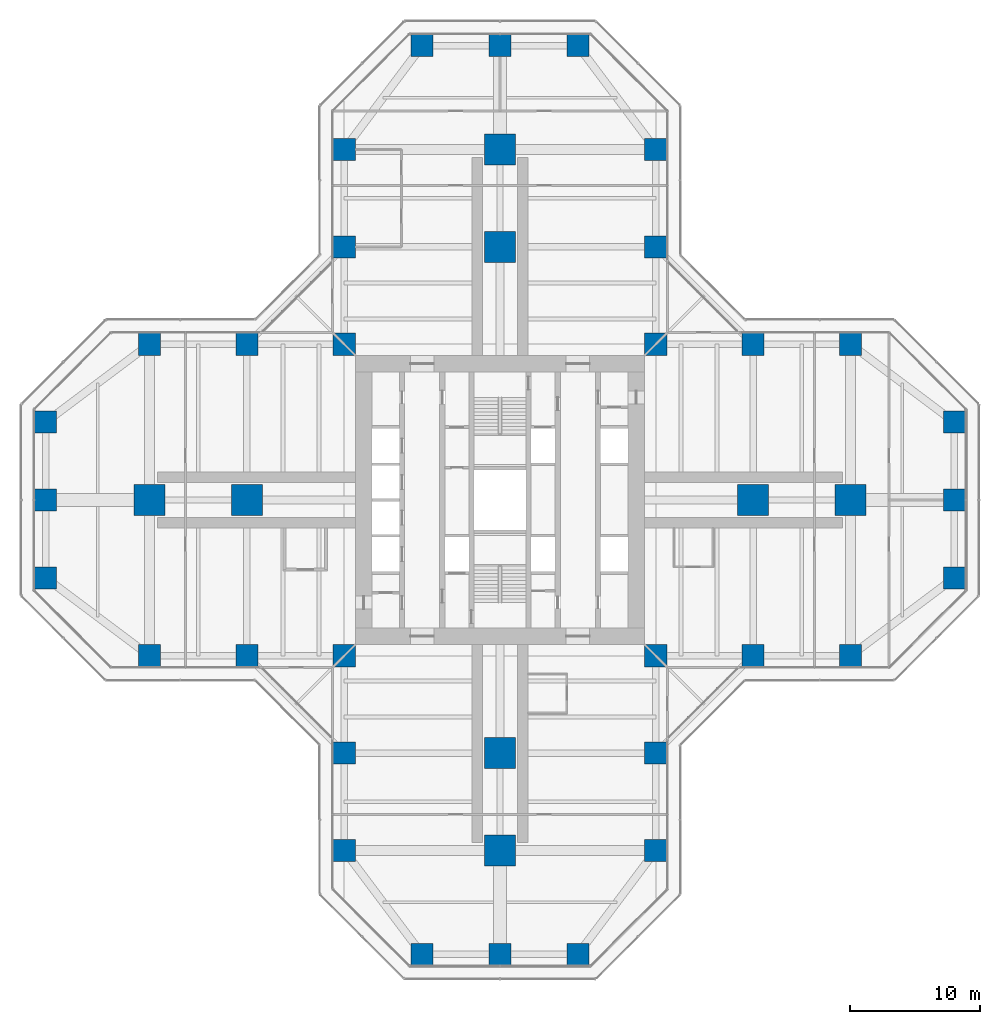
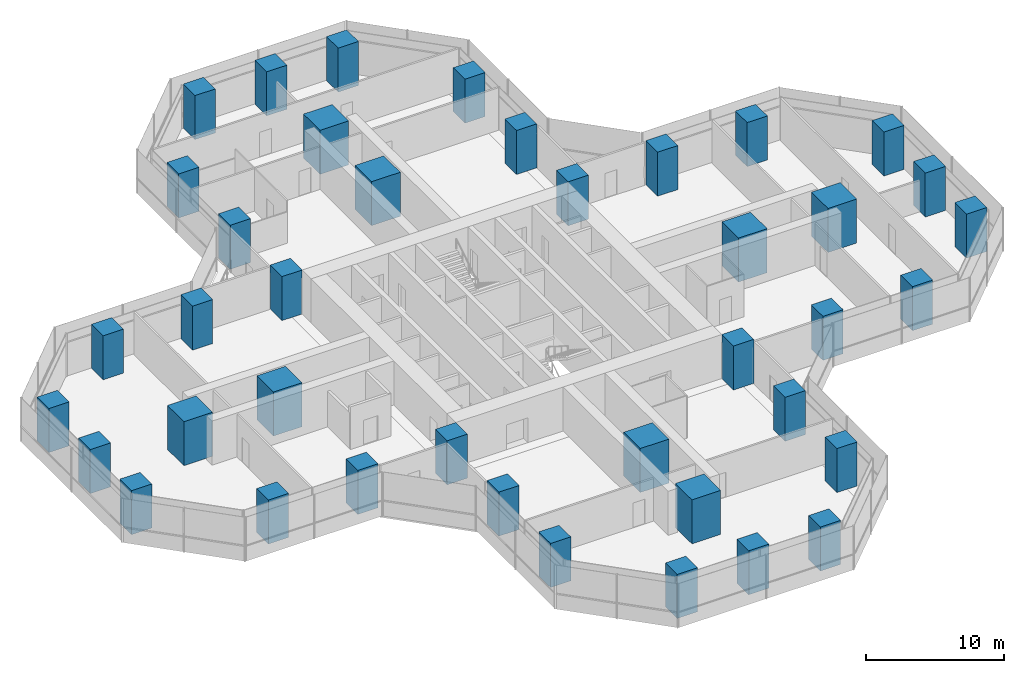
# One storey, part 1 of 22: 40 columns.
"""IFC4 building model written with IfcOpenShell, lengths in metres."""

import ifcopenshell
import ifcopenshell.guid

model = None  # the IFC model being written
_history = None  # IfcOwnerHistory: only IFC2X3 demands one
_inside = {}  # id of a spatial element -> (the spatial element, [elements in it])
_under = {}  # id of a project, library or spatial element -> (it, [spatial elements below it])
_declared = {}  # id of a project -> (the project, [libraries it declares])
_typed = {}  # id of a type object -> (the type object, [elements of that type])
_made_of = {}  # id of a material, layer set ... -> (it, [elements and type objects made of it])


def new_model(schema):
    """Start an empty IFC model of exactly this schema.

    Asked for "IFC4X3", IfcOpenShell would pick the latest addendum, in which some entities
    have other attributes; the version numbers below select the first issue.
    IFC2X3 requires an IfcOwnerHistory on every rooted entity: one is made here for all.
    """
    global model, _history
    if schema == "IFC4X3":
        model = ifcopenshell.file(schema_version=(4, 3, 0, 0))
    else:
        model = ifcopenshell.file(schema=schema)
    _inside.clear()
    _under.clear()
    _declared.clear()
    _typed.clear()
    _made_of.clear()
    _history = None
    if model.schema == "IFC2X3":
        org = make("IfcOrganization", Name="unknown")
        user = make(
            "IfcPersonAndOrganization",
            ThePerson=make("IfcPerson", FamilyName="unknown"),
            TheOrganization=org,
        )
        app = make(
            "IfcApplication",
            ApplicationDeveloper=org,
            Version="unknown",
            ApplicationFullName="unknown",
            ApplicationIdentifier="unknown",
        )
        _history = make(
            "IfcOwnerHistory",
            OwningUser=user,
            OwningApplication=app,
            ChangeAction="ADDED",
            CreationDate=0,
        )
    return model


def make(cls, **values):
    """One entity of the class cls with the attributes given. An attribute that is None is left unset."""
    return model.create_entity(
        cls, **{name: value for name, value in values.items() if value is not None}
    )


def rooted(cls, **values):
    """An entity with a GlobalId (a new one), such as an element, a storey or a relation."""
    return make(cls, GlobalId=ifcopenshell.guid.new(), OwnerHistory=_history, **values)


def si_unit(unit_type, name, prefix=None):
    """IfcSIUnit, for example si_unit("LENGTHUNIT", "METRE", prefix="MILLI")."""
    return make("IfcSIUnit", UnitType=unit_type, Prefix=prefix, Name=name)


def assignment(units):
    """IfcUnitAssignment: the units of a project."""
    return None if units is None else make("IfcUnitAssignment", Units=units)


def point(xyz):
    """IfcCartesianPoint."""
    return None if xyz is None else make("IfcCartesianPoint", Coordinates=xyz)


def direction(xyz):
    """IfcDirection."""
    return None if xyz is None else make("IfcDirection", DirectionRatios=xyz)


def frame(location, z_axis=None, x_axis=None):
    """IfcAxis2Placement3D, a coordinate frame: its origin and axes. An axis left out is left unset."""
    return make(
        "IfcAxis2Placement3D",
        Location=point(location),
        Axis=direction(z_axis),
        RefDirection=direction(x_axis),
    )


def frame_2d(location, x_axis=None):
    """IfcAxis2Placement2D, a coordinate frame in the plane: its origin and x axis."""
    return make(
        "IfcAxis2Placement2D", Location=point(location), RefDirection=direction(x_axis)
    )


def origin():
    """The frame at (0, 0, 0) with its axes left unset."""
    return frame((0.0, 0.0, 0.0))


def origin_2d():
    """The frame at (0, 0) in the plane with its x axis left unset."""
    return frame_2d((0.0, 0.0))


def place(relative_to, where):
    """IfcLocalPlacement: puts the frame where relative to a parent placement (None: the world)."""
    return make(
        "IfcLocalPlacement", PlacementRelTo=relative_to, RelativePlacement=where
    )


def context(
    kind, dimensions, precision=None, world=None, true_north=None, identifier=None
):
    """IfcGeometricRepresentationContext, for example the 3D "Model" context."""
    return make(
        "IfcGeometricRepresentationContext",
        ContextIdentifier=identifier,
        ContextType=kind,
        CoordinateSpaceDimension=dimensions,
        Precision=precision,
        WorldCoordinateSystem=world,
        TrueNorth=true_north,
    )


def subcontext(parent, identifier, kind, view, scale=None):
    """IfcGeometricRepresentationSubContext, for example "Body" below "Model"."""
    return make(
        "IfcGeometricRepresentationSubContext",
        ContextIdentifier=identifier,
        ContextType=kind,
        ParentContext=parent,
        TargetScale=scale,
        TargetView=view,
    )


def project(units=None, contexts=None):
    """IfcProject with its units and contexts."""
    return rooted(
        "IfcProject",
        Name="project",
        RepresentationContexts=contexts,
        UnitsInContext=assignment(units),
    )


def spatial(cls, under=None, at=None, **own):
    """A site, building, storey or space (cls), placed at a placement, below another one or the project."""
    s = rooted(cls, ObjectPlacement=at, **own)
    if under is not None:
        _under.setdefault(under.id(), (under, []))[1].append(s)
    return s


def profile(cls, at=None, kind="AREA", **sizes):
    """A parametric profile (cls). Its sizes go by their IFC names, for example OverallWidth=200.0."""
    return make(cls, ProfileType=kind, Position=at, **sizes)


def rectangle(**sizes):
    """IfcRectangleProfileDef."""
    return profile("IfcRectangleProfileDef", **sizes)


def extrude(swept, where, along, depth):
    """IfcExtrudedAreaSolid: the profile swept, set in the frame where, extruded along a direction by depth."""
    return make(
        "IfcExtrudedAreaSolid",
        SweptArea=swept,
        Position=where,
        ExtrudedDirection=direction(along),
        Depth=depth,
    )


def shape(context_of_items, identifier, shape_type, items):
    """IfcShapeRepresentation: the items that make up one representation, for example the "Body"."""
    return make(
        "IfcShapeRepresentation",
        ContextOfItems=context_of_items,
        RepresentationIdentifier=identifier,
        RepresentationType=shape_type,
        Items=items,
    )


def material(Name=None, Category=None):
    """IfcMaterial."""
    return make("IfcMaterial", Name=Name, Category=Category)


def material_profile(
    of_material, cross_section, Name=None, Category=None, Priority=None
):
    """IfcMaterialProfile: a cross section and its material."""
    return make(
        "IfcMaterialProfile",
        Name=Name,
        Material=of_material,
        Profile=cross_section,
        Priority=Priority,
        Category=Category,
    )


def profile_set(profiles, Name=None, composite=None):
    """IfcMaterialProfileSet."""
    return make(
        "IfcMaterialProfileSet",
        Name=Name,
        MaterialProfiles=profiles,
        CompositeProfile=composite,
    )


def made_of(thing, what):
    """Note that an element or type object is made of a material, layer set ...; save() writes the relation."""
    if what is not None:
        _made_of.setdefault(what.id(), (what, []))[1].append(thing)
    return thing


def type_object(cls, material=None, **own):
    """A type object (cls), such as IfcWallType, which elements share."""
    return made_of(rooted(cls, **own), material)


def element(
    cls,
    number,
    at=None,
    inside=None,
    cuts=None,
    type_object=None,
    material=None,
    context=None,
    identifier="Body",
    shape_type=None,
    held_by="IfcProductDefinitionShape",
    body=None,
    shapes=None,
    **own,
):
    """One element of the class cls, such as IfcWall. Its Tag is "e" and its number.

    at: its placement. inside: the storey or other place that contains it. cuts: it is an
    opening in that element (IfcRelVoidsElement). A single representation is given by context,
    identifier, shape_type and body (its items); several are given by shapes. held_by: the class
    of the entity that holds the representations. save() writes the other relations.
    """
    e = rooted(cls, Tag="e%d" % number, ObjectPlacement=at, **own)
    if body is not None:
        shapes = [shape(context, identifier, shape_type, body)]
    if shapes is not None:
        e.Representation = make(held_by, Representations=shapes)
    if inside is not None:
        _inside.setdefault(inside.id(), (inside, []))[1].append(e)
    if cuts is not None:
        rooted(
            "IfcRelVoidsElement", RelatingBuildingElement=cuts, RelatedOpeningElement=e
        )
    if type_object is not None:
        _typed.setdefault(type_object.id(), (type_object, []))[1].append(e)
    return made_of(e, material)


def aggregate(whole, parts):
    """IfcRelAggregates: a whole, such as a stair, and the parts it consists of."""
    return rooted("IfcRelAggregates", RelatingObject=whole, RelatedObjects=parts)


def save(model, path):
    """Write the relations noted so far, then the file.

    IfcRelAggregates (storeys below a building ...), IfcRelContainedInSpatialStructure (elements
    in a storey), IfcRelDefinesByType, IfcRelAssociatesMaterial and IfcRelDeclares: one each for
    every whole, place, type object, material and project.
    """
    for whole, parts in _under.values():
        aggregate(whole, parts)
    for where, things in _inside.values():
        rooted(
            "IfcRelContainedInSpatialStructure",
            RelatedElements=things,
            RelatingStructure=where,
        )
    for kind, things in _typed.values():
        rooted("IfcRelDefinesByType", RelatedObjects=things, RelatingType=kind)
    for what, things in _made_of.values():
        rooted("IfcRelAssociatesMaterial", RelatedObjects=things, RelatingMaterial=what)
    for by, libraries in _declared.values():
        rooted("IfcRelDeclares", RelatingContext=by, RelatedDefinitions=libraries)
    model.write(path)


model = new_model("IFC4")

# Units and contexts
model_context = context("Model", 3, precision=1e-05, world=origin(), true_north=direction((0.0, 1.0)))
body_context = subcontext(model_context, "Body", "Model", "MODEL_VIEW")
ifc_project = project(units=[si_unit("LENGTHUNIT", "METRE"), si_unit("AREAUNIT", "SQUARE_METRE"), si_unit("VOLUMEUNIT", "CUBIC_METRE"), si_unit("PLANEANGLEUNIT", "RADIAN"), si_unit("MASSUNIT", "GRAM", prefix="KILO")], contexts=[model_context])

# Site, building, storey
site_placement = place(None, origin())
site = spatial("IfcSite", under=ifc_project, at=site_placement, CompositionType="ELEMENT")
building_placement = place(site_placement, origin())
building = spatial("IfcBuilding", under=site, at=building_placement, Name="Mizan Broadcast Tower", CompositionType="ELEMENT")
storey_placement = place(building_placement, frame((0.0, 0.0, 105.89990234375)))
storey = spatial("IfcBuildingStorey", under=building, at=storey_placement, Name="L23", CompositionType="ELEMENT", Elevation=105.89990234375)

# Columns
ifc_material_1 = material(Name="Concrete C70/85", Category="concrete")
ifc_material_profile_1 = material_profile(ifc_material_1, rectangle(XDim=1.699951171875, YDim=1.699951171875, at=origin_2d()), Name="RC 1700x1700")
ifc_profile_set_1 = profile_set([ifc_material_profile_1], Name="Concrete C70/85")
column_type_1 = type_object("IfcColumnType", Name="RC COLUMN 1700x1700 C70/85", PredefinedType="COLUMN", material=ifc_profile_set_1)
for number, where, z_axis, x_axis, name in (
    (1, (-6.0, -35.0, 0.0), (0.0, 0.0, 1.0), (1.0, 0.0, 0.0), "Column 5/A L23"),
    (2, (0.0, -35.0, 0.0), (0.0, 0.0, 1.0), (1.0, 0.0, 0.0), "Column 6/A L23"),
    (3, (6.0, -35.0, 0.0), (0.0, 0.0, 1.0), (1.0, 0.0, 0.0), "Column 7/A L23"),
    (4, (-12.0, -27.0, 0.0), (0.0, 0.0, 1.0), (1.0, 0.0, 0.0), "Column 4/B L23"),
    (5, (12.0, -27.0, 0.0), (0.0, 0.0, 1.0), (1.0, 0.0, 0.0), "Column 8/B L23"),
    (6, (-12.0, -19.5, 0.0), (0.0, 0.0, 1.0), (1.0, 0.0, 0.0), "Column 4/C L23"),
    (7, (12.0, -19.5, 0.0), (0.0, 0.0, 1.0), (1.0, 0.0, 0.0), "Column 8/C L23"),
    (8, (-27.0, -12.0, 0.0), (0.0, 0.0, 1.0), (1.0, 0.0, 0.0), "Column 2/D L23"),
    (9, (-19.5, -12.0, 0.0), (0.0, 0.0, 1.0), (1.0, 0.0, 0.0), "Column 3/D L23"),
    (10, (-12.0, -12.0, 0.0), (0.0, 0.0, 1.0), (1.0, 0.0, 0.0), "Column 4/D L23"),
    (11, (12.0, -12.0, 0.0), (0.0, 0.0, 1.0), (1.0, 0.0, 0.0), "Column 8/D L23"),
    (12, (19.5, -12.0, 0.0), (0.0, 0.0, 1.0), (1.0, 0.0, 0.0), "Column 9/D L23"),
    (13, (27.0, -12.0, 0.0), (0.0, 0.0, 1.0), (1.0, 0.0, 0.0), "Column 10/D L23"),
    (14, (-35.0, -6.0, 0.0), (0.0, 0.0, 1.0), (1.0, 0.0, 0.0), "Column 1/E L23"),
    (15, (35.0, -6.0, 0.0), (0.0, 0.0, 1.0), (1.0, 0.0, 0.0), "Column 11/E L23"),
    (16, (-35.0, 0.0, 0.0), (0.0, 0.0, 1.0), (1.0, 0.0, 0.0), "Column 1/F L23"),
    (17, (35.0, 0.0, 0.0), (0.0, 0.0, 1.0), (1.0, 0.0, 0.0), "Column 11/F L23"),
    (18, (-35.0, 6.0, 0.0), (0.0, 0.0, 1.0), (1.0, 0.0, 0.0), "Column 1/G L23"),
    (19, (35.0, 6.0, 0.0), (0.0, 0.0, 1.0), (1.0, 0.0, 0.0), "Column 11/G L23"),
    (20, (-27.0, 12.0, 0.0), (0.0, 0.0, 1.0), (1.0, 0.0, 0.0), "Column 2/H L23"),
    (21, (-19.5, 12.0, 0.0), (0.0, 0.0, 1.0), (1.0, 0.0, 0.0), "Column 3/H L23"),
    (22, (-12.0, 12.0, 0.0), (0.0, 0.0, 1.0), (1.0, 0.0, 0.0), "Column 4/H L23"),
    (23, (12.0, 12.0, 0.0), (0.0, 0.0, 1.0), (1.0, 0.0, 0.0), "Column 8/H L23"),
    (24, (19.5, 12.0, 0.0), (0.0, 0.0, 1.0), (1.0, 0.0, 0.0), "Column 9/H L23"),
    (25, (27.0, 12.0, 0.0), (0.0, 0.0, 1.0), (1.0, 0.0, 0.0), "Column 10/H L23"),
    (26, (-12.0, 19.5, 0.0), (0.0, 0.0, 1.0), (1.0, 0.0, 0.0), "Column 4/J L23"),
    (27, (12.0, 19.5, 0.0), (0.0, 0.0, 1.0), (1.0, 0.0, 0.0), "Column 8/J L23"),
    (28, (-12.0, 27.0, 0.0), (0.0, 0.0, 1.0), (1.0, 0.0, 0.0), "Column 4/K L23"),
    (29, (12.0, 27.0, 0.0), (0.0, 0.0, 1.0), (1.0, 0.0, 0.0), "Column 8/K L23"),
    (30, (-6.0, 35.0, 0.0), (0.0, 0.0, 1.0), (1.0, 0.0, 0.0), "Column 5/L L23"),
    (31, (0.0, 35.0, 0.0), (0.0, 0.0, 1.0), (1.0, 0.0, 0.0), "Column 6/L L23"),
    (32, (6.0, 35.0, 0.0), (0.0, 0.0, 1.0), (1.0, 0.0, 0.0), "Column 7/L L23"),
):
    element("IfcColumn", number, at=place(storey_placement, frame(where, z_axis=z_axis, x_axis=x_axis)), inside=storey, type_object=column_type_1, Name=name, PredefinedType="COLUMN", context=body_context, shape_type="SweptSolid", body=[
        extrude(rectangle(XDim=1.699951171875, YDim=1.699951171875, at=origin_2d()), origin(), (0.0, 0.0, 1.0), 3.900146484375),
    ])
ifc_material_2 = material(Name="Concrete C70/85", Category="concrete")
ifc_material_profile_2 = material_profile(ifc_material_2, rectangle(XDim=2.39990234375, YDim=2.39990234375, at=origin_2d()), Name="RC 2400x2400")
ifc_profile_set_2 = profile_set([ifc_material_profile_2], Name="Concrete C70/85")
column_type_2 = type_object("IfcColumnType", Name="RC COLUMN 2400x2400 C70/85", PredefinedType="COLUMN", material=ifc_profile_set_2)
for number, where, z_axis, x_axis, name in (
    (33, (0.0, -27.0, 0.0), (0.0, 0.0, 1.0), (1.0, 0.0, 0.0), "Column 6/B L23"),
    (34, (0.0, -19.5, 0.0), (0.0, 0.0, 1.0), (1.0, 0.0, 0.0), "Column 6/C L23"),
    (35, (-27.0, 0.0, 0.0), (0.0, 0.0, 1.0), (1.0, 0.0, 0.0), "Column 2/F L23"),
    (36, (-19.5, 0.0, 0.0), (0.0, 0.0, 1.0), (1.0, 0.0, 0.0), "Column 3/F L23"),
    (37, (19.5, 0.0, 0.0), (0.0, 0.0, 1.0), (1.0, 0.0, 0.0), "Column 9/F L23"),
    (38, (27.0, 0.0, 0.0), (0.0, 0.0, 1.0), (1.0, 0.0, 0.0), "Column 10/F L23"),
    (39, (0.0, 19.5, 0.0), (0.0, 0.0, 1.0), (1.0, 0.0, 0.0), "Column 6/J L23"),
    (40, (0.0, 27.0, 0.0), (0.0, 0.0, 1.0), (1.0, 0.0, 0.0), "Column 6/K L23"),
):
    element("IfcColumn", number, at=place(storey_placement, frame(where, z_axis=z_axis, x_axis=x_axis)), inside=storey, type_object=column_type_2, Name=name, PredefinedType="COLUMN", context=body_context, shape_type="SweptSolid", body=[
        extrude(rectangle(XDim=2.39990234375, YDim=2.39990234375, at=origin_2d()), origin(), (0.0, 0.0, 1.0), 3.900146484375),
    ])

save(model, "model.ifc")
